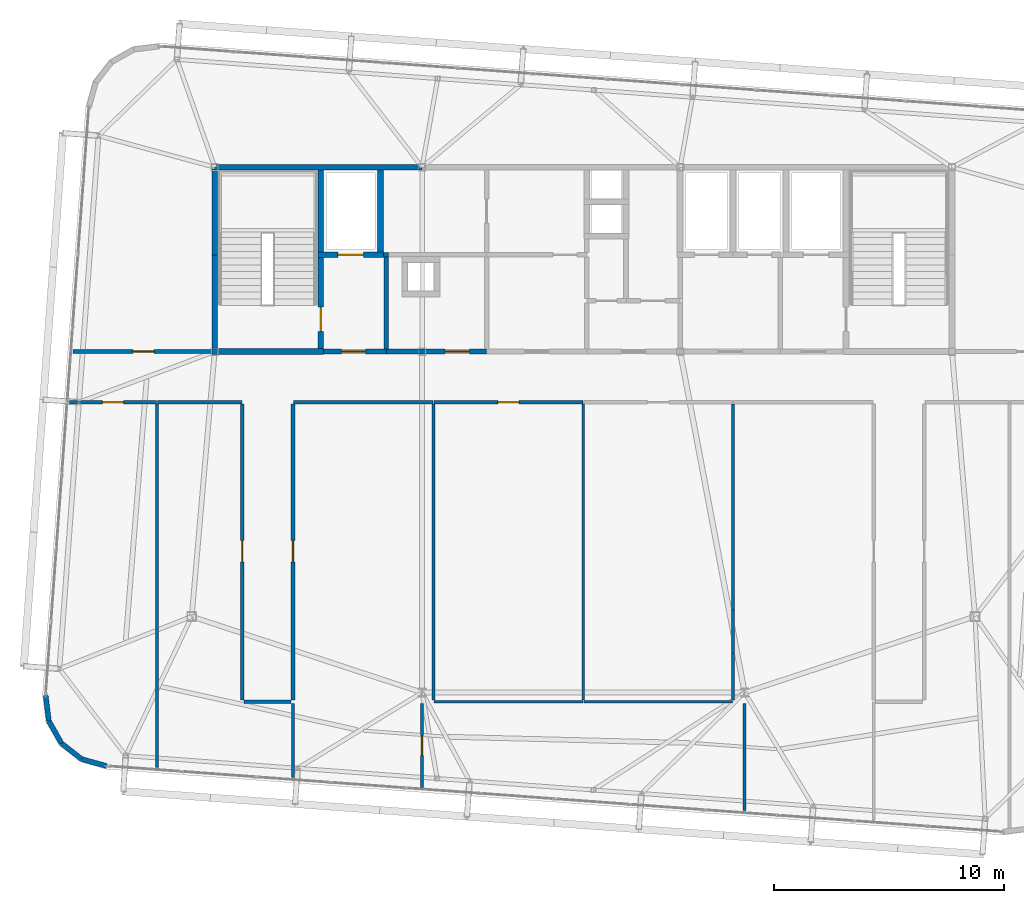
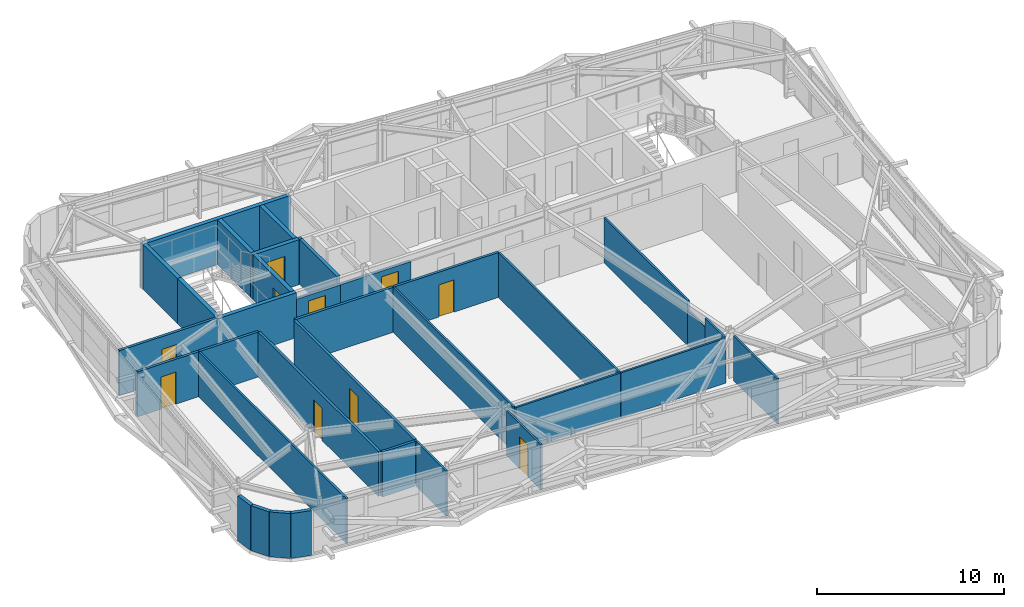
# One storey, part 38 of 42: 35 walls, 10 doors, 10 openings.
"""IFC4 building model written with IfcOpenShell, lengths in metres."""

from ifc_helpers import new_model, si_unit, direction, frame, frame_2d, origin, place, context, subcontext, project, spatial, rectangle, extrude, source, transform, mapped, material, layer, layer_set, type_object, element, fill, save


model = new_model("IFC4")

# Units and contexts
model_context = context("Model", 3, precision=1e-05, world=origin(), true_north=direction((0.0, 1.0)))
body_context = subcontext(model_context, "Body", "Model", "MODEL_VIEW")
ifc_project = project(units=[si_unit("LENGTHUNIT", "METRE"), si_unit("AREAUNIT", "SQUARE_METRE"), si_unit("VOLUMEUNIT", "CUBIC_METRE"), si_unit("PLANEANGLEUNIT", "RADIAN"), si_unit("MASSUNIT", "GRAM", prefix="KILO")], contexts=[model_context])

# Site, building, storey
site_placement = place(None, origin())
site = spatial("IfcSite", under=ifc_project, at=site_placement, CompositionType="ELEMENT")
building_placement = place(site_placement, origin())
building = spatial("IfcBuilding", under=site, at=building_placement, Name="Taldren Reach Tower", CompositionType="ELEMENT")
storey_placement = place(building_placement, frame((0.0, 0.0, 214.550048828125)))
storey = spatial("IfcBuildingStorey", under=building, at=storey_placement, Name="L65", CompositionType="ELEMENT", Elevation=214.550048828125)

# Walls
ifc_material_1 = material(Name="Pale Champagne Anodised Aluminium Cladding", Category="aluminium")
ifc_layer_1 = layer(ifc_material_1, 0.04, Name="Pale Champagne Anodised Aluminium Cladding", Category="aluminium")
ifc_material_2 = material(Name="Mineral Wool Acoustic Insulation", Category="insulation")
ifc_layer_2 = layer(ifc_material_2, 0.06, Name="Mineral Wool Acoustic Insulation", Category="insulation")
ifc_material_3 = material(Name="Steel Gr 350 (C350L0)", Category="steel")
ifc_layer_3 = layer(ifc_material_3, 0.12, Name="Steel Gr 350 (C350L0)", Category="steel")
ifc_layer_set_1 = layer_set([ifc_layer_1, ifc_layer_2, ifc_layer_3], Name="Pale Champagne Aluminium Cladding and Steel Gr 350 Stud Framing")
wall_type_1 = type_object("IfcWallType", Name="EW-CRN-220", PredefinedType="SOLIDWALL", material=ifc_layer_set_1)
shared_shape_1 = source(origin(), body_context, "Body", "SweptSolid", [
    extrude(rectangle(XDim=1.115966796875, YDim=0.219970703125, at=frame_2d((0.55810546875, 0.0))), origin(), (0.0, 0.0, 1.0), 2.929931640625),
])
for number, where, z_axis, x_axis, name in (
    (1, (11.66259765625, 9.072021484375, 0.0), (0.0, 0.0, 1.0), (0.122742076028, -0.992438604032, 0.0), "Rounded-corner pale-metal facade wall L65-SW1"),
    (2, (11.799560546875, 7.964599609375, 0.0), (0.0, 0.0, 1.0), (0.493073284892, -0.869987779067, 0.0), "Rounded-corner pale-metal facade wall L65-SW2"),
    (3, (12.349853515625, 6.99365234375, 0.0), (0.0, 0.0, 1.0), (0.788597772321, -0.614909386406, 0.0), "Rounded-corner pale-metal facade wall L65-SW3"),
):
    element("IfcWall", number, at=place(storey_placement, frame(where, z_axis=z_axis, x_axis=x_axis)), inside=storey, type_object=wall_type_1, Name=name, PredefinedType="SOLIDWALL", context=body_context, shape_type="MappedRepresentation", body=[
        mapped(shared_shape_1, transform((0.0, 0.0, 0.0), scale=1.0)),
    ])
shared_shape_2 = source(origin(), body_context, "Body", "SweptSolid", [
    extrude(rectangle(XDim=1.11572265625, YDim=0.219970703125, at=frame_2d((0.557861328125, 0.0))), origin(), (0.0, 0.0, 1.0), 2.929931640625),
])
wall_1_placement = place(storey_placement, frame((13.22998046875, 6.307373046875, 0.0), z_axis=(0.0, 0.0, 1.0), x_axis=(0.963890028874, -0.266300605026, 0.0)))
element("IfcWall", 4, at=wall_1_placement, inside=storey, type_object=wall_type_1, Name="Rounded-corner pale-metal facade wall L65-SW4", PredefinedType="SOLIDWALL", context=body_context, shape_type="MappedRepresentation", body=[
    mapped(shared_shape_2, transform((0.0, 0.0, 0.0), scale=1.0)),
])

# Wall, opening, door
ifc_material_4 = material(Name="Concrete S50 (50 MPa)", Category="concrete")
ifc_layer_4 = layer(ifc_material_4, 0.199951171875)
ifc_layer_set_2 = layer_set([ifc_layer_4], Name="Concrete S50 (50 MPa)")
wall_type_2 = type_object("IfcWallType", Name="IW-CORE-200", PredefinedType="SOLIDWALL", material=ifc_layer_set_2)
shared_shape_3 = source(origin(), body_context, "Body", "SweptSolid", [
    extrude(rectangle(XDim=4.35009765625, YDim=0.199951171875, at=frame_2d((2.175048828125, 0.0))), origin(), (0.0, 0.0, 1.0), 2.469970703125),
])
wall_2_placement = place(storey_placement, frame((30.800048828125, 24.0, 0.0), z_axis=(0.0, 0.0, 1.0), x_axis=(-1.0, 0.0, 0.0)))
wall_2 = element("IfcWall", 5, at=wall_2_placement, inside=storey, type_object=wall_type_2, Name="Rear Core Shear Wall W-INT-L65-034", PredefinedType="SOLIDWALL", context=body_context, shape_type="MappedRepresentation", body=[
    mapped(shared_shape_3, transform((0.0, 0.0, 0.0), scale=1.0)),
])
shared_shape_4 = source(origin(), body_context, "Body", "SweptSolid", [
    extrude(rectangle(XDim=1.050048828125, YDim=2.10009765625, at=frame_2d((0.52490234375, 1.050048828125))), frame((0.0, 0.10986328125, 0.0), z_axis=(0.0, -1.0, 0.0), x_axis=(1.0, 0.0, 0.0)), (0.0, 0.0, 1.0), 0.219970703125),
])
opening_1_placement = place(wall_2_placement, frame((0.75, 0.0, 0.0)))
opening_1 = element("IfcOpeningElement", 6, at=opening_1_placement, cuts=wall_2, Name="Opening DF-105", PredefinedType="OPENING", context=body_context, shape_type="MappedRepresentation", body=[
    mapped(shared_shape_4, transform((0.0, 0.0, 0.0), scale=1.0)),
])
ifc_material_5 = material(Name="Fire-Rated Care and Stair Exit Door")
door_type_1 = type_object("IfcDoorType", Name="ID-FIRE-105", OperationType="NOTDEFINED", PredefinedType="DOOR", material=ifc_material_5)
shared_shape_5 = source(origin(), body_context, "Body", "SweptSolid", [
    extrude(rectangle(XDim=1.050048828125, YDim=2.10009765625, at=frame_2d((0.52490234375, 1.050048828125))), frame((0.0, 0.02490234375, 0.0), z_axis=(0.0, -1.0, 0.0), x_axis=(1.0, 0.0, 0.0)), (0.0, 0.0, 1.0), 0.050048828125),
])
door_1_placement = place(opening_1_placement, frame((1.050048828125, 0.0, 0.0), z_axis=(0.0, 0.0, 1.0), x_axis=(-1.0, 0.0, 0.0)))
door_1 = element("IfcDoor", 7, at=door_1_placement, inside=storey, type_object=door_type_1, Name="Interior Door DR-L65-006", OperationType="SINGLE_SWING_RIGHT", OverallHeight=2.10009765625, OverallWidth=1.050048828125, PredefinedType="DOOR", context=body_context, shape_type="MappedRepresentation", body=[
    mapped(shared_shape_5, transform((0.0, 0.0, 0.0), scale=1.0)),
])
fill(opening_1, door_1)

# Walls
ifc_material_6 = material(Name="Fire-Rated Acoustic Plasterboard Stud Wall", Category="gypsum")
ifc_layer_5 = layer(ifc_material_6, 0.159912109375)
ifc_layer_set_3 = layer_set([ifc_layer_5], Name="Fire-Rated Acoustic Plasterboard Stud Wall")
wall_type_3 = type_object("IfcWallType", Name="IW-FIRE-160", PredefinedType="PARTITIONING", material=ifc_layer_set_3)
shared_shape_6 = source(origin(), body_context, "Body", "SweptSolid", [
    extrude(rectangle(XDim=2.0400390625, YDim=0.159912109375, at=frame_2d((1.02001953125, 0.0))), origin(), (0.0, 0.0, 1.0), 2.929931640625),
])
wall_3_placement = place(storey_placement, frame((22.320068359375, 8.800048828125, 0.0), z_axis=(0.0, 0.0, 1.0), x_axis=(-1.0, 0.0, 0.0)))
element("IfcWall", 8, at=wall_3_placement, inside=storey, type_object=wall_type_3, Name="Interior Partition Wall W-INT-L65-049", PredefinedType="PARTITIONING", context=body_context, shape_type="MappedRepresentation", body=[
    mapped(shared_shape_6, transform((0.0, 0.0, 0.0), scale=1.0)),
])
shared_shape_7 = source(origin(), body_context, "Body", "SweptSolid", [
    extrude(rectangle(XDim=6.0595703125, YDim=0.159912109375, at=frame_2d((3.02978515625, 0.0))), origin(), (0.0, 0.0, 1.0), 2.929931640625),
])
wall_4_placement = place(storey_placement, frame((28.479736328125, 21.800048828125, 0.0), z_axis=(0.0, 0.0, 1.0), x_axis=(-1.0, 0.0, 0.0)))
element("IfcWall", 9, at=wall_4_placement, inside=storey, type_object=wall_type_3, Name="Interior Partition Wall W-INT-L65-051", PredefinedType="PARTITIONING", context=body_context, shape_type="MappedRepresentation", body=[
    mapped(shared_shape_7, transform((0.0, 0.0, 0.0), scale=1.0)),
])
shared_shape_8 = source(origin(), body_context, "Body", "SweptSolid", [
    extrude(rectangle(XDim=4.0, YDim=0.199951171875, at=frame_2d((2.0, 0.0))), origin(), (0.0, 0.0, 1.0), 2.929931640625),
])
wall_5_placement = place(storey_placement, frame((26.449951171875, 24.10009765625, 0.0), z_axis=(0.0, 0.0, 1.0), x_axis=(0.0, 1.0, 0.0)))
element("IfcWall", 10, at=wall_5_placement, inside=storey, type_object=wall_type_2, Name="Rear Core Shear Wall W-INT-L65-006", PredefinedType="SOLIDWALL", context=body_context, shape_type="MappedRepresentation", body=[
    mapped(shared_shape_8, transform((0.0, 0.0, 0.0), scale=1.0)),
])
ifc_material_7 = material(Name="Insulated Residential Stud Partition", Category="gypsum")
ifc_layer_6 = layer(ifc_material_7, 0.1201171875)
ifc_layer_set_4 = layer_set([ifc_layer_6], Name="Insulated Residential Stud Partition")
wall_type_4 = type_object("IfcWallType", Name="IW-PART-120", PredefinedType="PARTITIONING", material=ifc_layer_set_4)
shared_shape_9 = source(origin(), body_context, "Body", "SweptSolid", [
    extrude(rectangle(XDim=1.86083984375, YDim=0.1201171875, at=frame_2d((0.930419921875, 0.0))), origin(), (0.0, 0.0, 1.0), 2.327880859375),
])
wall_6_placement = place(storey_placement, frame((41.5, 12.773193359375, 0.0), z_axis=(0.0, 0.0, 1.0), x_axis=(0.0, -1.0, 0.0)))
element("IfcWall", 11, at=wall_6_placement, inside=storey, type_object=wall_type_4, Name="Interior Partition Wall W-INT-L65-069 part 2", PredefinedType="PARTITIONING", context=body_context, shape_type="MappedRepresentation", body=[
    mapped(shared_shape_9, transform((0.0, 0.0, 0.0), scale=1.0)),
])
ifc_material_8 = material(Name="Concrete S65 (65 MPa)", Category="concrete")
ifc_layer_7 = layer(ifc_material_8, 0.25)
ifc_layer_set_5 = layer_set([ifc_layer_7], Name="Concrete S65 (65 MPa)")
wall_type_5 = type_object("IfcWallType", Name="IW-CORE-250", PredefinedType="SHEAR", material=ifc_layer_set_5)
shared_shape_10 = source(origin(), body_context, "Body", "SweptSolid", [
    extrude(rectangle(XDim=9.125, YDim=0.25, at=frame_2d((4.5625, 0.0))), origin(), (0.0, 0.0, 1.0), 2.929931640625),
])
wall_7_placement = place(storey_placement, frame((18.875, 32.0, 0.0), z_axis=(0.0, 0.0, 1.0), x_axis=(1.0, 0.0, 0.0)))
element("IfcWall", 12, at=wall_7_placement, inside=storey, type_object=wall_type_5, Name="Rear Core Shear Wall W-CORE-L65-NORTH1", PredefinedType="SHEAR", context=body_context, shape_type="MappedRepresentation", body=[
    mapped(shared_shape_10, transform((0.0, 0.0, 0.0), scale=1.0)),
])
shared_shape_11 = source(origin(), body_context, "Body", "SweptSolid", [
    extrude(rectangle(XDim=4.074951171875, YDim=0.25, at=frame_2d((2.03759765625, 0.0))), origin(), (0.0, 0.0, 1.0), 2.929931640625),
])
wall_8_placement = place(storey_placement, frame((19.0, 24.125, 0.0), z_axis=(0.0, 0.0, 1.0), x_axis=(0.0, 1.0, 0.0)))
element("IfcWall", 13, at=wall_8_placement, inside=storey, type_object=wall_type_5, Name="Rear Core Shear Wall W-CORE-L65-WEST1", PredefinedType="SHEAR", context=body_context, shape_type="MappedRepresentation", body=[
    mapped(shared_shape_11, transform((0.0, 0.0, 0.0), scale=1.0)),
])
shared_shape_12 = source(origin(), body_context, "Body", "SweptSolid", [
    extrude(rectangle(XDim=3.675048828125, YDim=0.25, at=frame_2d((1.83740234375, 0.0))), origin(), (0.0, 0.0, 1.0), 2.929931640625),
])
wall_9_placement = place(storey_placement, frame((19.0, 28.199951171875, 0.0), z_axis=(0.0, 0.0, 1.0), x_axis=(0.0, 1.0, 0.0)))
element("IfcWall", 14, at=wall_9_placement, inside=storey, type_object=wall_type_5, Name="Rear Core Shear Wall W-CORE-L65-WEST2", PredefinedType="SHEAR", context=body_context, shape_type="MappedRepresentation", body=[
    mapped(shared_shape_12, transform((0.0, 0.0, 0.0), scale=1.0)),
])
shared_shape_13 = source(origin(), body_context, "Body", "SweptSolid", [
    extrude(rectangle(XDim=3.550048828125, YDim=0.25, at=frame_2d((1.77490234375, 0.0))), origin(), (0.0, 0.0, 1.0), 2.929931640625),
])
for number, where, z_axis, x_axis, name in (
    (15, (23.60009765625, 28.324951171875, 0.0), (0.0, 0.0, 1.0), (0.0, 1.0, 0.0), "Rear Core Shear Wall W-INT-L65-001"),
    (16, (26.199951171875, 28.324951171875, 0.0), (0.0, 0.0, 1.0), (0.0, 1.0, 0.0), "Rear Core Shear Wall W-INT-L65-005"),
):
    element("IfcWall", number, at=place(storey_placement, frame(where, z_axis=z_axis, x_axis=x_axis)), inside=storey, type_object=wall_type_5, Name=name, PredefinedType="SHEAR", context=body_context, shape_type="MappedRepresentation", body=[
        mapped(shared_shape_13, transform((0.0, 0.0, 0.0), scale=1.0)),
    ])

# Wall, opening, door
shared_shape_14 = source(origin(), body_context, "Body", "SweptSolid", [
    extrude(rectangle(XDim=3.949951171875, YDim=0.25, at=frame_2d((1.97509765625, 0.0))), origin(), (0.0, 0.0, 1.0), 2.929931640625),
])
wall_10_placement = place(storey_placement, frame((23.60009765625, 24.125, 0.0), z_axis=(0.0, 0.0, 1.0), x_axis=(0.0, 1.0, 0.0)))
wall_10 = element("IfcWall", 17, at=wall_10_placement, inside=storey, type_object=wall_type_5, Name="Rear Core Shear Wall W-INT-L65-002", PredefinedType="SHEAR", context=body_context, shape_type="MappedRepresentation", body=[
    mapped(shared_shape_14, transform((0.0, 0.0, 0.0), scale=1.0)),
])
shared_shape_15 = source(origin(), body_context, "Body", "SweptSolid", [
    extrude(rectangle(XDim=1.050048828125, YDim=2.10009765625, at=frame_2d((0.52490234375, 1.050048828125))), frame((0.0, 0.135009765625, 0.0), z_axis=(0.0, -1.0, 0.0), x_axis=(1.0, 0.0, 0.0)), (0.0, 0.0, 1.0), 0.27001953125),
])
opening_2_placement = place(wall_10_placement, frame((0.75, 0.0, 0.0)))
opening_2 = element("IfcOpeningElement", 18, at=opening_2_placement, cuts=wall_10, Name="Opening DF-105", PredefinedType="OPENING", context=body_context, shape_type="MappedRepresentation", body=[
    mapped(shared_shape_15, transform((0.0, 0.0, 0.0), scale=1.0)),
])
door_2_placement = place(opening_2_placement, origin())
door_2 = element("IfcDoor", 19, at=door_2_placement, inside=storey, type_object=door_type_1, Name="Fire Exit Stair Door DR-L65-001", OperationType="SINGLE_SWING_LEFT", OverallHeight=2.10009765625, OverallWidth=1.050048828125, PredefinedType="DOOR", context=body_context, shape_type="MappedRepresentation", body=[
    mapped(shared_shape_5, transform((0.0, 0.0, 0.0), scale=1.0)),
])
fill(opening_2, door_2)

# Wall
shared_shape_16 = source(origin(), body_context, "Body", "SweptSolid", [
    extrude(rectangle(XDim=4.85009765625, YDim=0.25, at=frame_2d((2.425048828125, 0.0))), origin(), (0.0, 0.0, 1.0), 2.929931640625),
])
wall_11_placement = place(storey_placement, frame((18.875, 24.0, 0.0), z_axis=(0.0, 0.0, 1.0), x_axis=(1.0, 0.0, 0.0)))
element("IfcWall", 20, at=wall_11_placement, inside=storey, type_object=wall_type_5, Name="Rear Core Shear Wall W-INT-L65-003", PredefinedType="SHEAR", context=body_context, shape_type="MappedRepresentation", body=[
    mapped(shared_shape_16, transform((0.0, 0.0, 0.0), scale=1.0)),
])

# Wall, opening, door
shared_shape_17 = source(origin(), body_context, "Body", "SweptSolid", [
    extrude(rectangle(XDim=2.849853515625, YDim=0.25, at=frame_2d((1.4248046875, 0.0))), origin(), (0.0, 0.0, 1.0), 2.929931640625),
])
wall_12_placement = place(storey_placement, frame((23.47509765625, 28.199951171875, 0.0), z_axis=(0.0, 0.0, 1.0), x_axis=(1.0, 0.0, 0.0)))
wall_12 = element("IfcWall", 21, at=wall_12_placement, inside=storey, type_object=wall_type_5, Name="Rear Core Shear Wall W-INT-L65-004", PredefinedType="SHEAR", context=body_context, shape_type="MappedRepresentation", body=[
    mapped(shared_shape_17, transform((0.0, 0.0, 0.0), scale=1.0)),
])
shared_shape_18 = source(origin(), body_context, "Body", "SweptSolid", [
    extrude(rectangle(XDim=1.10009765625, YDim=2.14990234375, at=frame_2d((0.550048828125, 1.074951171875))), frame((0.0, 0.135009765625, 0.0), z_axis=(0.0, -1.0, 0.0), x_axis=(1.0, 0.0, 0.0)), (0.0, 0.0, 1.0), 0.27001953125),
])
opening_3_placement = place(wall_12_placement, frame((0.875, 0.0, 0.0)))
opening_3 = element("IfcOpeningElement", 22, at=opening_3_placement, cuts=wall_12, Name="Opening LD-FL1", PredefinedType="OPENING", context=body_context, shape_type="MappedRepresentation", body=[
    mapped(shared_shape_18, transform((0.0, 0.0, 0.0), scale=1.0)),
])
ifc_material_9 = material(Name="Stainless Steel Gr 316 Emergency Lift Landing Door", Category="steel")
door_type_2 = type_object("IfcDoorType", Name="LD-EMG-110", OperationType="SLIDING_TO_LEFT", PredefinedType="DOOR", material=ifc_material_9)
shared_shape_19 = source(origin(), body_context, "Body", "SweptSolid", [
    extrude(rectangle(XDim=1.10009765625, YDim=2.14990234375, at=frame_2d((0.550048828125, 1.074951171875))), frame((0.0, 0.02490234375, 0.0), z_axis=(0.0, -1.0, 0.0), x_axis=(1.0, 0.0, 0.0)), (0.0, 0.0, 1.0), 0.050048828125),
])
door_3_placement = place(opening_3_placement, origin())
door_3 = element("IfcDoor", 23, at=door_3_placement, inside=storey, type_object=door_type_2, Name="Lift Landing Door LD-FL1-L65", OperationType="SLIDING_TO_LEFT", OverallHeight=2.14990234375, OverallWidth=1.10009765625, PredefinedType="DOOR", context=body_context, shape_type="MappedRepresentation", body=[
    mapped(shared_shape_19, transform((0.0, 0.0, 0.0), scale=1.0)),
])
fill(opening_3, door_3)

shared_shape_20 = source(origin(), body_context, "Body", "SweptSolid", [
    extrude(rectangle(XDim=2.724853515625, YDim=0.199951171875, at=frame_2d((1.3623046875, 0.0))), origin(), (0.0, 0.0, 1.0), 2.469970703125),
])
wall_13_placement = place(storey_placement, frame((23.72509765625, 24.0, 0.0), z_axis=(0.0, 0.0, 1.0), x_axis=(1.0, 0.0, 0.0)))
wall_13 = element("IfcWall", 24, at=wall_13_placement, inside=storey, type_object=wall_type_2, Name="Rear Core Shear Wall W-INT-L65-007", PredefinedType="SOLIDWALL", context=body_context, shape_type="MappedRepresentation", body=[
    mapped(shared_shape_20, transform((0.0, 0.0, 0.0), scale=1.0)),
])
opening_4_placement = place(wall_13_placement, frame((0.77490234375, 0.0, 0.0)))
opening_4 = element("IfcOpeningElement", 25, at=opening_4_placement, cuts=wall_13, Name="Opening DF-105", PredefinedType="OPENING", context=body_context, shape_type="MappedRepresentation", body=[
    mapped(shared_shape_4, transform((0.0, 0.0, 0.0), scale=1.0)),
])
door_4_placement = place(opening_4_placement, origin())
door_4 = element("IfcDoor", 26, at=door_4_placement, inside=storey, type_object=door_type_1, Name="Interior Door DR-L65-002", OperationType="SINGLE_SWING_LEFT", OverallHeight=2.10009765625, OverallWidth=1.050048828125, PredefinedType="DOOR", context=body_context, shape_type="MappedRepresentation", body=[
    mapped(shared_shape_5, transform((0.0, 0.0, 0.0), scale=1.0)),
])
fill(opening_4, door_4)

shared_shape_21 = source(origin(), body_context, "Body", "SweptSolid", [
    extrude(rectangle(XDim=12.840087890625, YDim=0.159912109375, at=frame_2d((6.419921875, 0.0))), origin(), (0.0, 0.0, 1.0), 2.929931640625),
])
wall_14_placement = place(storey_placement, frame((20.199951171875, 8.8798828125, 0.0), z_axis=(0.0, 0.0, 1.0), x_axis=(0.0, 1.0, 0.0)))
wall_14 = element("IfcWall", 27, at=wall_14_placement, inside=storey, type_object=wall_type_3, Name="Interior Partition Wall W-INT-L65-047", PredefinedType="PARTITIONING", context=body_context, shape_type="MappedRepresentation", body=[
    mapped(shared_shape_21, transform((0.0, 0.0, 0.0), scale=1.0)),
])
shared_shape_22 = source(origin(), body_context, "Body", "SweptSolid", [
    extrude(rectangle(XDim=0.919921875, YDim=2.10009765625, at=frame_2d((0.4599609375, 1.050048828125))), frame((0.0, 0.08984375, 0.0), z_axis=(0.0, -1.0, 0.0), x_axis=(1.0, 0.0, 0.0)), (0.0, 0.0, 1.0), 0.179931640625),
])
opening_5_placement = place(wall_14_placement, frame((5.989990234375, 0.0, 0.0)))
opening_5 = element("IfcOpeningElement", 28, at=opening_5_placement, cuts=wall_14, Name="Opening DI-092", PredefinedType="OPENING", context=body_context, shape_type="MappedRepresentation", body=[
    mapped(shared_shape_22, transform((0.0, 0.0, 0.0), scale=1.0)),
])
ifc_material_10 = material(Name="Solid-Core Timber Suite Door", Category="wood")
door_type_3 = type_object("IfcDoorType", Name="ID-INT-092", OperationType="NOTDEFINED", PredefinedType="DOOR", material=ifc_material_10)
shared_shape_23 = source(origin(), body_context, "Body", "SweptSolid", [
    extrude(rectangle(XDim=0.919921875, YDim=2.10009765625, at=frame_2d((0.4599609375, 1.050048828125))), frame((0.0, 0.02490234375, 0.0), z_axis=(0.0, -1.0, 0.0), x_axis=(1.0, 0.0, 0.0)), (0.0, 0.0, 1.0), 0.050048828125),
])
door_5_placement = place(opening_5_placement, origin())
door_5 = element("IfcDoor", 29, at=door_5_placement, inside=storey, type_object=door_type_3, Name="Interior Door DR-L65-015", OperationType="SINGLE_SWING_RIGHT", OverallHeight=2.10009765625, OverallWidth=0.919921875, PredefinedType="DOOR", context=body_context, shape_type="MappedRepresentation", body=[
    mapped(shared_shape_23, transform((0.0, 0.0, 0.0), scale=1.0)),
])
fill(opening_5, door_5)

wall_15_placement = place(storey_placement, frame((22.39990234375, 21.719970703125, 0.0), z_axis=(0.0, 0.0, 1.0), x_axis=(0.0, -1.0, 0.0)))
wall_15 = element("IfcWall", 30, at=wall_15_placement, inside=storey, type_object=wall_type_3, Name="Interior Partition Wall W-INT-L65-050", PredefinedType="PARTITIONING", context=body_context, shape_type="MappedRepresentation", body=[
    mapped(shared_shape_21, transform((0.0, 0.0, 0.0), scale=1.0)),
])
opening_6_placement = place(wall_15_placement, frame((5.93017578125, 0.0, 0.0)))
opening_6 = element("IfcOpeningElement", 31, at=opening_6_placement, cuts=wall_15, Name="Opening DI-092", PredefinedType="OPENING", context=body_context, shape_type="MappedRepresentation", body=[
    mapped(shared_shape_22, transform((0.0, 0.0, 0.0), scale=1.0)),
])
door_6_placement = place(opening_6_placement, origin())
door_6 = element("IfcDoor", 32, at=door_6_placement, inside=storey, type_object=door_type_3, Name="Interior Door DR-L65-016", OperationType="SINGLE_SWING_LEFT", OverallHeight=2.10009765625, OverallWidth=0.919921875, PredefinedType="DOOR", context=body_context, shape_type="MappedRepresentation", body=[
    mapped(shared_shape_23, transform((0.0, 0.0, 0.0), scale=1.0)),
])
fill(opening_6, door_6)

# Walls
shared_shape_24 = source(origin(), body_context, "Body", "SweptSolid", [
    extrude(rectangle(XDim=12.840087890625, YDim=0.1201171875, at=frame_2d((6.419921875, 0.0))), origin(), (0.0, 0.0, 1.0), 2.929931640625),
])
for number, where, z_axis, x_axis, name in (
    (33, (28.5, 21.719970703125, 0.0), (0.0, 0.0, 1.0), (0.0, -1.0, 0.0), "Interior Partition Wall W-INT-L65-067"),
    (34, (35.0, 21.719970703125, 0.0), (0.0, 0.0, 1.0), (0.0, -1.0, 0.0), "Interior Partition Wall W-INT-L65-068"),
):
    element("IfcWall", number, at=place(storey_placement, frame(where, z_axis=z_axis, x_axis=x_axis)), inside=storey, type_object=wall_type_4, Name=name, PredefinedType="PARTITIONING", context=body_context, shape_type="MappedRepresentation", body=[
        mapped(shared_shape_24, transform((0.0, 0.0, 0.0), scale=1.0)),
    ])
shared_shape_25 = source(origin(), body_context, "Body", "SweptSolid", [
    extrude(rectangle(XDim=0.22509765625, YDim=0.199951171875, at=frame_2d((0.112548828125, 0.0))), origin(), (0.0, 0.0, 1.0), 2.929931640625),
])
wall_16_placement = place(storey_placement, frame((26.324951171875, 28.199951171875, 0.0), z_axis=(0.0, 0.0, 1.0), x_axis=(1.0, 0.0, 0.0)))
element("IfcWall", 35, at=wall_16_placement, inside=storey, type_object=wall_type_2, Name="Rear Core Partition Wall W-INT-L65-072", PredefinedType="SOLIDWALL", context=body_context, shape_type="MappedRepresentation", body=[
    mapped(shared_shape_25, transform((0.0, 0.0, 0.0), scale=1.0)),
])

# Wall, opening, door
shared_shape_26 = source(origin(), body_context, "Body", "SweptSolid", [
    extrude(rectangle(XDim=6.03173828125, YDim=0.159912109375, at=frame_2d((3.015869140625, 0.0))), origin(), (0.0, 0.0, 1.0), 2.929931640625),
])
wall_17_placement = place(storey_placement, frame((12.84326171875, 24.0, 0.0), z_axis=(0.0, 0.0, 1.0), x_axis=(1.0, 0.0, 0.0)))
wall_17 = element("IfcWall", 36, at=wall_17_placement, inside=storey, type_object=wall_type_3, Name="Interior Partition Wall W-INT-L65-045", PredefinedType="PARTITIONING", context=body_context, shape_type="MappedRepresentation", body=[
    mapped(shared_shape_26, transform((0.0, 0.0, 0.0), scale=1.0)),
])
opening_7_placement = place(wall_17_placement, frame((2.6083984375, 0.0, 0.0)))
opening_7 = element("IfcOpeningElement", 37, at=opening_7_placement, cuts=wall_17, Name="Opening DI-092", PredefinedType="OPENING", context=body_context, shape_type="MappedRepresentation", body=[
    mapped(shared_shape_22, transform((0.0, 0.0, 0.0), scale=1.0)),
])
door_7_placement = place(opening_7_placement, origin())
door_7 = element("IfcDoor", 38, at=door_7_placement, inside=storey, type_object=door_type_3, Name="Interior Door DR-L65-013", OperationType="SINGLE_SWING_RIGHT", OverallHeight=2.10009765625, OverallWidth=0.919921875, PredefinedType="DOOR", context=body_context, shape_type="MappedRepresentation", body=[
    mapped(shared_shape_23, transform((0.0, 0.0, 0.0), scale=1.0)),
])
fill(opening_7, door_7)

shared_shape_27 = source(origin(), body_context, "Body", "SweptSolid", [
    extrude(rectangle(XDim=3.786376953125, YDim=0.159912109375, at=frame_2d((1.89306640625, 0.0))), origin(), (0.0, 0.0, 1.0), 2.929931640625),
])
wall_18_placement = place(storey_placement, frame((16.479736328125, 21.800048828125, 0.0), z_axis=(0.0, 0.0, 1.0), x_axis=(-1.0, 0.0, 0.0)))
wall_18 = element("IfcWall", 39, at=wall_18_placement, inside=storey, type_object=wall_type_3, Name="Interior Partition Wall W-INT-L65-046", PredefinedType="PARTITIONING", context=body_context, shape_type="MappedRepresentation", body=[
    mapped(shared_shape_27, transform((0.0, 0.0, 0.0), scale=1.0)),
])
opening_8_placement = place(wall_18_placement, frame((1.43310546875, 0.0, 0.0)))
opening_8 = element("IfcOpeningElement", 40, at=opening_8_placement, cuts=wall_18, Name="Opening DI-092", PredefinedType="OPENING", context=body_context, shape_type="MappedRepresentation", body=[
    mapped(shared_shape_22, transform((0.0, 0.0, 0.0), scale=1.0)),
])
door_8_placement = place(opening_8_placement, origin())
door_8 = element("IfcDoor", 41, at=door_8_placement, inside=storey, type_object=door_type_3, Name="Interior Door DR-L65-014", OperationType="SINGLE_SWING_LEFT", OverallHeight=2.10009765625, OverallWidth=0.919921875, PredefinedType="DOOR", context=body_context, shape_type="MappedRepresentation", body=[
    mapped(shared_shape_23, transform((0.0, 0.0, 0.0), scale=1.0)),
])
fill(opening_8, door_8)

# Wall
shared_shape_28 = source(origin(), body_context, "Body", "SweptSolid", [
    extrude(rectangle(XDim=3.659423828125, YDim=0.159912109375, at=frame_2d((1.82958984375, 0.0))), origin(), (0.0, 0.0, 1.0), 2.929931640625),
])
wall_19_placement = place(storey_placement, frame((20.1796875, 21.800048828125, 0.0), z_axis=(0.0, 0.0, 1.0), x_axis=(-1.0, 0.0, 0.0)))
element("IfcWall", 42, at=wall_19_placement, inside=storey, type_object=wall_type_3, Name="Interior Partition Wall W-INT-L65-048", PredefinedType="PARTITIONING", context=body_context, shape_type="MappedRepresentation", body=[
    mapped(shared_shape_28, transform((0.0, 0.0, 0.0), scale=1.0)),
])

# Wall, opening, door
shared_shape_29 = source(origin(), body_context, "Body", "SweptSolid", [
    extrude(rectangle(XDim=6.45947265625, YDim=0.159912109375, at=frame_2d((3.229736328125, 0.0))), origin(), (0.0, 0.0, 1.0), 2.929931640625),
])
wall_20_placement = place(storey_placement, frame((34.979736328125, 21.800048828125, 0.0), z_axis=(0.0, 0.0, 1.0), x_axis=(-1.0, 0.0, 0.0)))
wall_20 = element("IfcWall", 43, at=wall_20_placement, inside=storey, type_object=wall_type_3, Name="Interior Partition Wall W-INT-L65-052", PredefinedType="PARTITIONING", context=body_context, shape_type="MappedRepresentation", body=[
    mapped(shared_shape_29, transform((0.0, 0.0, 0.0), scale=1.0)),
])
opening_9_placement = place(wall_20_placement, frame((2.769775390625, 0.0, 0.0)))
opening_9 = element("IfcOpeningElement", 44, at=opening_9_placement, cuts=wall_20, Name="Opening DI-092", PredefinedType="OPENING", context=body_context, shape_type="MappedRepresentation", body=[
    mapped(shared_shape_22, transform((0.0, 0.0, 0.0), scale=1.0)),
])
door_9_placement = place(opening_9_placement, origin())
door_9 = element("IfcDoor", 45, at=door_9_placement, inside=storey, type_object=door_type_3, Name="Interior Door DR-L65-017", OperationType="SINGLE_SWING_RIGHT", OverallHeight=2.10009765625, OverallWidth=0.919921875, PredefinedType="DOOR", context=body_context, shape_type="MappedRepresentation", body=[
    mapped(shared_shape_23, transform((0.0, 0.0, 0.0), scale=1.0)),
])
fill(opening_9, door_9)

shared_shape_30 = source(origin(), body_context, "Body", "SweptSolid", [
    extrude(rectangle(XDim=3.631103515625, YDim=0.1201171875, at=frame_2d((1.8154296875, 0.0))), origin(), (0.0, 0.0, 1.0), 2.929931640625),
])
wall_21_placement = place(storey_placement, frame((28.0, 5.0888671875, 0.0), z_axis=(0.0, 0.0, 1.0), x_axis=(0.0, 1.0, 0.0)))
wall_21 = element("IfcWall", 46, at=wall_21_placement, inside=storey, type_object=wall_type_4, Name="Interior Partition Wall W-INT-L65-061", PredefinedType="PARTITIONING", context=body_context, shape_type="MappedRepresentation", body=[
    mapped(shared_shape_30, transform((0.0, 0.0, 0.0), scale=1.0)),
])
shared_shape_31 = source(origin(), body_context, "Body", "SweptSolid", [
    extrude(rectangle(XDim=0.860107421875, YDim=2.10009765625, at=frame_2d((0.43017578125, 1.050048828125))), frame((0.0, 0.070068359375, 0.0), z_axis=(0.0, -1.0, 0.0), x_axis=(1.0, 0.0, 0.0)), (0.0, 0.0, 1.0), 0.14013671875),
])
opening_10_placement = place(wall_21_placement, frame((1.385498046875, 0.0, 0.0)))
opening_10 = element("IfcOpeningElement", 47, at=opening_10_placement, cuts=wall_21, Name="Opening DI-086", PredefinedType="OPENING", context=body_context, shape_type="MappedRepresentation", body=[
    mapped(shared_shape_31, transform((0.0, 0.0, 0.0), scale=1.0)),
])
ifc_material_11 = material(Name="Timber Bathroom Door", Category="wood")
door_type_4 = type_object("IfcDoorType", Name="ID-INT-086", OperationType="NOTDEFINED", PredefinedType="DOOR", material=ifc_material_11)
shared_shape_32 = source(origin(), body_context, "Body", "SweptSolid", [
    extrude(rectangle(XDim=0.860107421875, YDim=2.10009765625, at=frame_2d((0.43017578125, 1.050048828125))), frame((0.0, 0.02490234375, 0.0), z_axis=(0.0, -1.0, 0.0), x_axis=(1.0, 0.0, 0.0)), (0.0, 0.0, 1.0), 0.050048828125),
])
door_10_placement = place(opening_10_placement, frame((0.860107421875, 0.0, 0.0), z_axis=(0.0, 0.0, 1.0), x_axis=(-1.0, 0.0, 0.0)))
door_10 = element("IfcDoor", 48, at=door_10_placement, inside=storey, type_object=door_type_4, Name="Interior Door DR-L65-023", OperationType="SINGLE_SWING_LEFT", OverallHeight=2.10009765625, OverallWidth=0.860107421875, PredefinedType="DOOR", context=body_context, shape_type="MappedRepresentation", body=[
    mapped(shared_shape_32, transform((0.0, 0.0, 0.0), scale=1.0)),
])
fill(opening_10, door_10)

# Walls
shared_shape_33 = source(origin(), body_context, "Body", "SweptSolid", [
    extrude(rectangle(XDim=6.45947265625, YDim=0.1201171875, at=frame_2d((3.229736328125, 0.0))), origin(), (0.0, 0.0, 1.0), 2.929931640625),
])
for number, where, z_axis, x_axis, name in (
    (49, (28.520263671875, 8.800048828125, 0.0), (0.0, 0.0, 1.0), (1.0, 0.0, 0.0), "Interior Partition Wall W-INT-L65-062"),
    (50, (35.020263671875, 8.800048828125, 0.0), (0.0, 0.0, 1.0), (1.0, 0.0, 0.0), "Interior Partition Wall W-INT-L65-063"),
):
    element("IfcWall", number, at=place(storey_placement, frame(where, z_axis=z_axis, x_axis=x_axis)), inside=storey, type_object=wall_type_4, Name=name, PredefinedType="PARTITIONING", context=body_context, shape_type="MappedRepresentation", body=[
        mapped(shared_shape_33, transform((0.0, 0.0, 0.0), scale=1.0)),
    ])
shared_shape_34 = source(origin(), body_context, "Body", "SweptSolid", [
    extrude(rectangle(XDim=4.6474609375, YDim=0.1201171875, at=frame_2d((2.32373046875, 0.0))), origin(), (0.0, 0.0, 1.0), 2.929931640625),
])
wall_22_placement = place(storey_placement, frame((42.0, 8.719970703125, 0.0), z_axis=(0.0, 0.0, 1.0), x_axis=(0.0, -1.0, 0.0)))
element("IfcWall", 51, at=wall_22_placement, inside=storey, type_object=wall_type_4, Name="Interior Partition Wall W-INT-L65-064", PredefinedType="PARTITIONING", context=body_context, shape_type="MappedRepresentation", body=[
    mapped(shared_shape_34, transform((0.0, 0.0, 0.0), scale=1.0)),
])
shared_shape_35 = source(origin(), body_context, "Body", "SweptSolid", [
    extrude(rectangle(XDim=15.774658203125, YDim=0.1201171875, at=frame_2d((7.88720703125, 0.0))), origin(), (0.0, 0.0, 1.0), 2.929931640625),
])
wall_23_placement = place(storey_placement, frame((16.5, 21.719970703125, 0.0), z_axis=(0.0, 0.0, 1.0), x_axis=(0.0, -1.0, 0.0)))
element("IfcWall", 52, at=wall_23_placement, inside=storey, type_object=wall_type_4, Name="Interior Partition Wall W-INT-L65-065", PredefinedType="PARTITIONING", context=body_context, shape_type="MappedRepresentation", body=[
    mapped(shared_shape_35, transform((0.0, 0.0, 0.0), scale=1.0)),
])
shared_shape_36 = source(origin(), body_context, "Body", "SweptSolid", [
    extrude(rectangle(XDim=3.2080078125, YDim=0.1201171875, at=frame_2d((1.60400390625, 0.0))), origin(), (0.0, 0.0, 1.0), 2.929931640625),
])
wall_24_placement = place(storey_placement, frame((22.39990234375, 8.719970703125, 0.0), z_axis=(0.0, 0.0, 1.0), x_axis=(0.0, -1.0, 0.0)))
element("IfcWall", 53, at=wall_24_placement, inside=storey, type_object=wall_type_4, Name="Interior Partition Wall W-INT-L65-066", PredefinedType="PARTITIONING", context=body_context, shape_type="MappedRepresentation", body=[
    mapped(shared_shape_36, transform((0.0, 0.0, 0.0), scale=1.0)),
])
shared_shape_37 = source(origin(), body_context, "Body", "SweptSolid", [
    extrude(rectangle(XDim=8.94677734375, YDim=0.1201171875, at=frame_2d((4.473388671875, 0.0))), origin(), (0.0, 0.0, 1.0), 2.929931640625),
])
wall_25_placement = place(storey_placement, frame((41.5, 21.719970703125, 0.0), z_axis=(0.0, 0.0, 1.0), x_axis=(0.0, -1.0, 0.0)))
element("IfcWall", 54, at=wall_25_placement, inside=storey, type_object=wall_type_4, Name="Interior Partition Wall W-INT-L65-069", PredefinedType="PARTITIONING", context=body_context, shape_type="MappedRepresentation", body=[
    mapped(shared_shape_37, transform((0.0, 0.0, 0.0), scale=1.0)),
])
shared_shape_38 = source(origin(), body_context, "Body", "SweptSolid", [
    extrude(rectangle(XDim=2.032470703125, YDim=0.1201171875, at=frame_2d((1.01611328125, 0.0))), origin(), (0.0, 0.0, 1.0), 2.929931640625),
])
wall_26_placement = place(storey_placement, frame((41.5, 10.912353515625, 0.0), z_axis=(0.0, 0.0, 1.0), x_axis=(0.0, -1.0, 0.0)))
element("IfcWall", 55, at=wall_26_placement, inside=storey, type_object=wall_type_4, Name="Interior Partition Wall W-INT-L65-069 part 3", PredefinedType="PARTITIONING", context=body_context, shape_type="MappedRepresentation", body=[
    mapped(shared_shape_38, transform((0.0, 0.0, 0.0), scale=1.0)),
])

save(model, "model.ifc")
